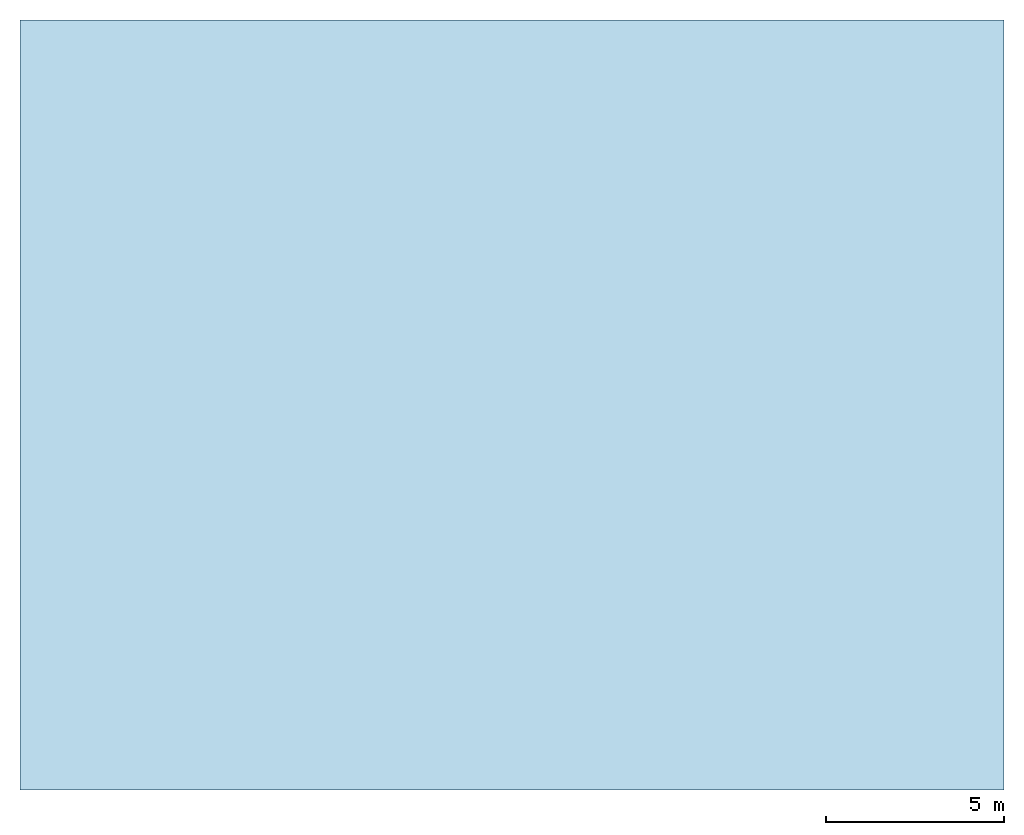
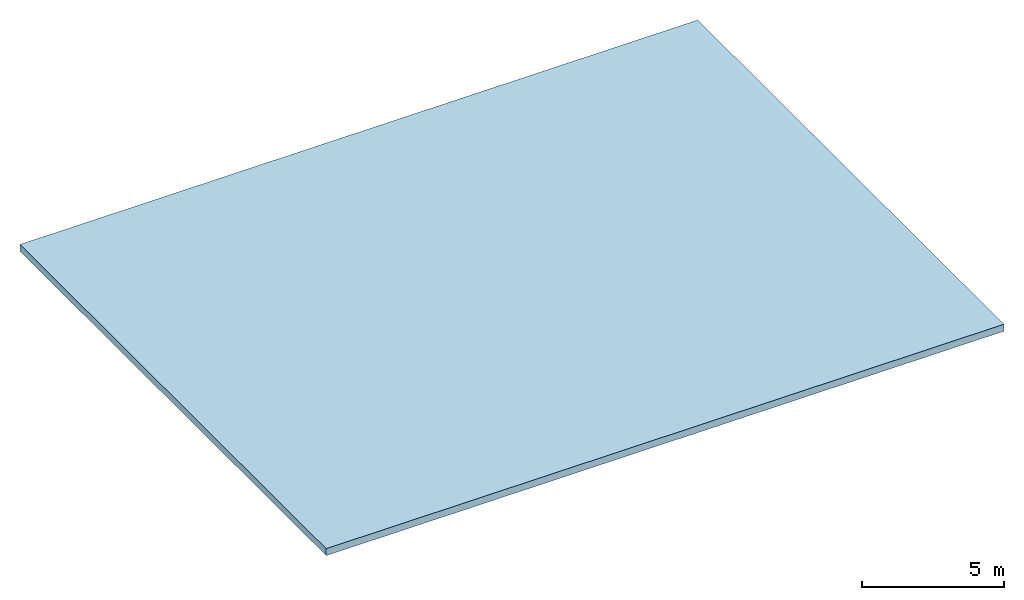
# One storey: 1 slab.
"""IFC4 building model written with IfcOpenShell, lengths in metres."""

from ifc_helpers import new_model, si_unit, direction, frame, origin, place, context, subcontext, project, spatial, polyline, outline, extrude, material, layer, layer_set, type_object, element, save


model = new_model("IFC4")

# Units and contexts
model_context = context("Model", 3, precision=1e-05, world=origin(), true_north=direction((0.0, 1.0)))
body_context = subcontext(model_context, "Body", "Model", "MODEL_VIEW")
ifc_project = project(units=[si_unit("LENGTHUNIT", "METRE"), si_unit("AREAUNIT", "SQUARE_METRE"), si_unit("VOLUMEUNIT", "CUBIC_METRE"), si_unit("PLANEANGLEUNIT", "RADIAN"), si_unit("MASSUNIT", "GRAM", prefix="KILO")], contexts=[model_context])

# Site, building, storey
site_placement = place(None, origin())
site = spatial("IfcSite", under=ifc_project, at=site_placement, CompositionType="ELEMENT")
building_placement = place(site_placement, origin())
building = spatial("IfcBuilding", under=site, at=building_placement, Name="Mangrove Gate Tower", CompositionType="ELEMENT")
storey_placement = place(building_placement, frame((0.0, 0.0, 358.199951171875)))
storey = spatial("IfcBuildingStorey", under=building, at=storey_placement, Name="UPPER ROOF", CompositionType="ELEMENT", Elevation=358.199951171875)

# Slab
ifc_material = material(Name="Concrete C50/60", Category="concrete")
ifc_layer = layer(ifc_material, 0.300048828125)
ifc_layer_set = layer_set([ifc_layer], Name="Core roof slab 300 C50/60")
slab_type = type_object("IfcSlabType", Name="Core roof slab 300 C50/60", PredefinedType="ROOF", material=ifc_layer_set)
slab_placement = place(storey_placement, origin())
element("IfcSlab", 1, at=slab_placement, inside=storey, type_object=slab_type, Name="Core roof slab ROOF", PredefinedType="ROOF", context=body_context, shape_type="SweptSolid", body=[
    extrude(outline(polyline([(-13.800048828125, -10.800048828125), (13.800048828125, -10.800048828125), (13.800048828125, 10.800048828125), (-13.800048828125, 10.800048828125), (-13.800048828125, -10.800048828125)])), origin(), (0.0, 0.0, 1.0), 0.300048828125),
])

save(model, "model.ifc")
